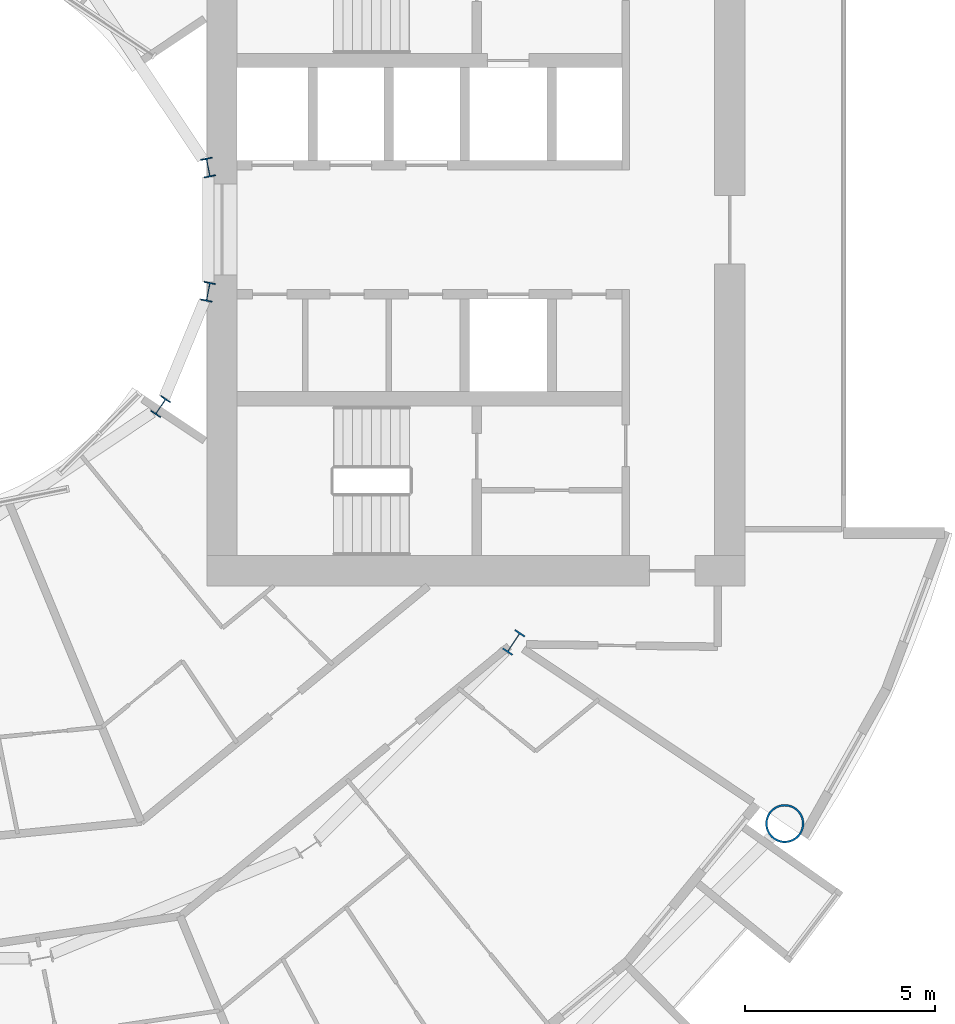
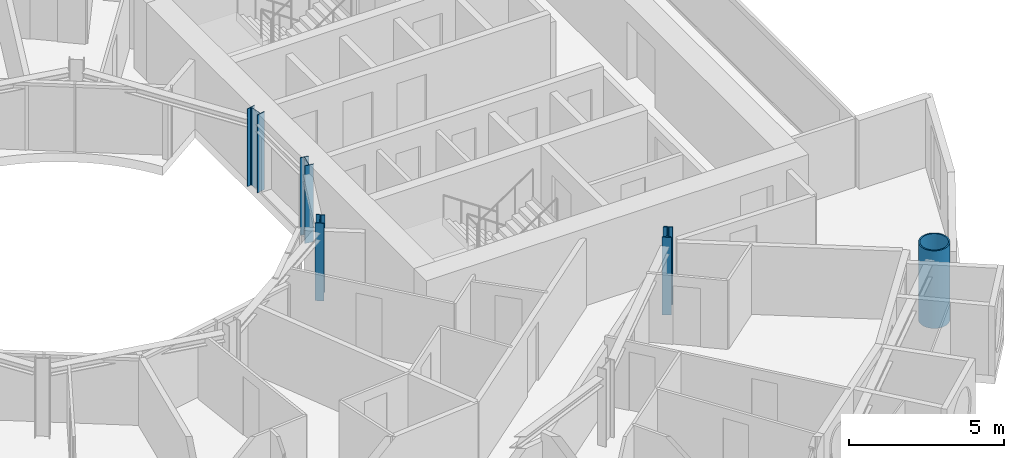
# One storey, part 2 of 26: 5 columns.
"""IFC4 building model written with IfcOpenShell, lengths in metres."""

from ifc_helpers import new_model, si_unit, direction, frame, origin, origin_2d, place, context, subcontext, project, spatial, hollow_circle, i_section, extrude, material, material_profile, profile_set, type_object, element, save


model = new_model("IFC4")

# Units and contexts
model_context = context("Model", 3, precision=1e-05, world=origin(), true_north=direction((0.0, 1.0)))
body_context = subcontext(model_context, "Body", "Model", "MODEL_VIEW")
ifc_project = project(units=[si_unit("LENGTHUNIT", "METRE"), si_unit("AREAUNIT", "SQUARE_METRE"), si_unit("VOLUMEUNIT", "CUBIC_METRE"), si_unit("PLANEANGLEUNIT", "RADIAN"), si_unit("MASSUNIT", "GRAM", prefix="KILO")], contexts=[model_context])

# Site, building, storey
site_placement = place(None, origin())
site = spatial("IfcSite", under=ifc_project, at=site_placement, CompositionType="ELEMENT")
building_placement = place(site_placement, origin())
building = spatial("IfcBuilding", under=site, at=building_placement, Name="Maasbend Ring Residences", CompositionType="ELEMENT")
storey_placement = place(building_placement, frame((0.0, 0.0, 35.0)))
storey = spatial("IfcBuildingStorey", under=building, at=storey_placement, Name="L09", CompositionType="ELEMENT", Elevation=35.0)

# Columns
ifc_material_1 = material(Name="Composite concrete-filled steel tube S460NH / C80/95", Category="concrete")
ifc_material_profile_1 = material_profile(ifc_material_1, hollow_circle(Radius=0.508056640625, WallThickness=0.050048828125, at=origin_2d()), Name="Composite tube column CHS 1016x50")
ifc_profile_set_1 = profile_set([ifc_material_profile_1], Name="Composite concrete-filled steel tube S460NH / C80/95")
column_type_1 = type_object("IfcColumnType", Name="Composite tube column CHS 1016x50", PredefinedType="COLUMN", material=ifc_profile_set_1)
column_1_placement = place(storey_placement, frame((23.447509765625, -15.6669921875, 0.0), z_axis=(0.0, 0.0, 1.0), x_axis=(1.0, 0.0, 0.0)))
element("IfcColumn", 1, at=column_1_placement, inside=storey, type_object=column_type_1, Name="Outer column R15", PredefinedType="COLUMN", context=body_context, shape_type="SweptSolid", body=[
    extrude(hollow_circle(Radius=0.508056640625, WallThickness=0.050048828125, at=origin_2d()), origin(), (0.0, 0.0, 1.0), 3.050048828125),
])
ifc_material_2 = material(Name="Steel S355J2", Category="steel")
ifc_material_profile_2 = material_profile(ifc_material_2, i_section(OverallWidth=0.300048828125, OverallDepth=0.5, WebThickness=0.014404296875, FlangeThickness=0.028076171875, FilletRadius=0.027099609375, at=origin_2d()), Name="HEB 500")
ifc_profile_set_2 = profile_set([ifc_material_profile_2], Name="Steel S355J2")
column_type_2 = type_object("IfcColumnType", Name="Steel column HEB 500", PredefinedType="COLUMN", material=ifc_profile_set_2)
for number, where, z_axis, x_axis, name in (
    (2, (8.238525390625, 1.638916015625, 0.0), (0.0, 0.0, 1.0), (0.980785280403, 0.195090322016, 0.0), "Well ring column R1"),
    (3, (6.984375, -4.666748046875, 0.0), (0.0, 0.0, 1.0), (0.831469612303, -0.55557023302, 0.0), "Well ring column R15"),
    (4, (8.238525390625, -1.638916015625, 0.0), (0.0, 0.0, 1.0), (0.980785280403, -0.195090322016, 0.0), "Well ring column R16"),
):
    element("IfcColumn", number, at=place(storey_placement, frame(where, z_axis=z_axis, x_axis=x_axis)), inside=storey, type_object=column_type_2, Name=name, PredefinedType="COLUMN", context=body_context, shape_type="SweptSolid", body=[
        extrude(i_section(OverallWidth=0.300048828125, OverallDepth=0.5, WebThickness=0.014404296875, FlangeThickness=0.028076171875, FilletRadius=0.027099609375, at=origin_2d()), origin(), (0.0, 0.0, 1.0), 3.050048828125),
    ])
ifc_material_3 = material(Name="Steel S460M", Category="steel")
ifc_material_profile_3 = material_profile(ifc_material_3, i_section(OverallWidth=0.304931640625, OverallDepth=0.6201171875, WebThickness=0.02099609375, FlangeThickness=0.0400390625, FilletRadius=0.027099609375, at=origin_2d()), Name="HEM 600")
ifc_profile_set_3 = profile_set([ifc_material_profile_3], Name="Steel S460M")
column_type_3 = type_object("IfcColumnType", Name="Steel column HEM 600", PredefinedType="COLUMN", material=ifc_profile_set_3)
column_2_placement = place(storey_placement, frame((16.296875, -10.88916015625, 0.0), z_axis=(0.0, 0.0, 1.0), x_axis=(0.831469612303, -0.55557023302, 0.0)))
element("IfcColumn", 5, at=column_2_placement, inside=storey, type_object=column_type_3, Name="Corridor ring column R15", PredefinedType="COLUMN", context=body_context, shape_type="SweptSolid", body=[
    extrude(i_section(OverallWidth=0.304931640625, OverallDepth=0.6201171875, WebThickness=0.02099609375, FlangeThickness=0.0400390625, FilletRadius=0.027099609375, at=origin_2d()), origin(), (0.0, 0.0, 1.0), 3.050048828125),
])

save(model, "model.ifc")
